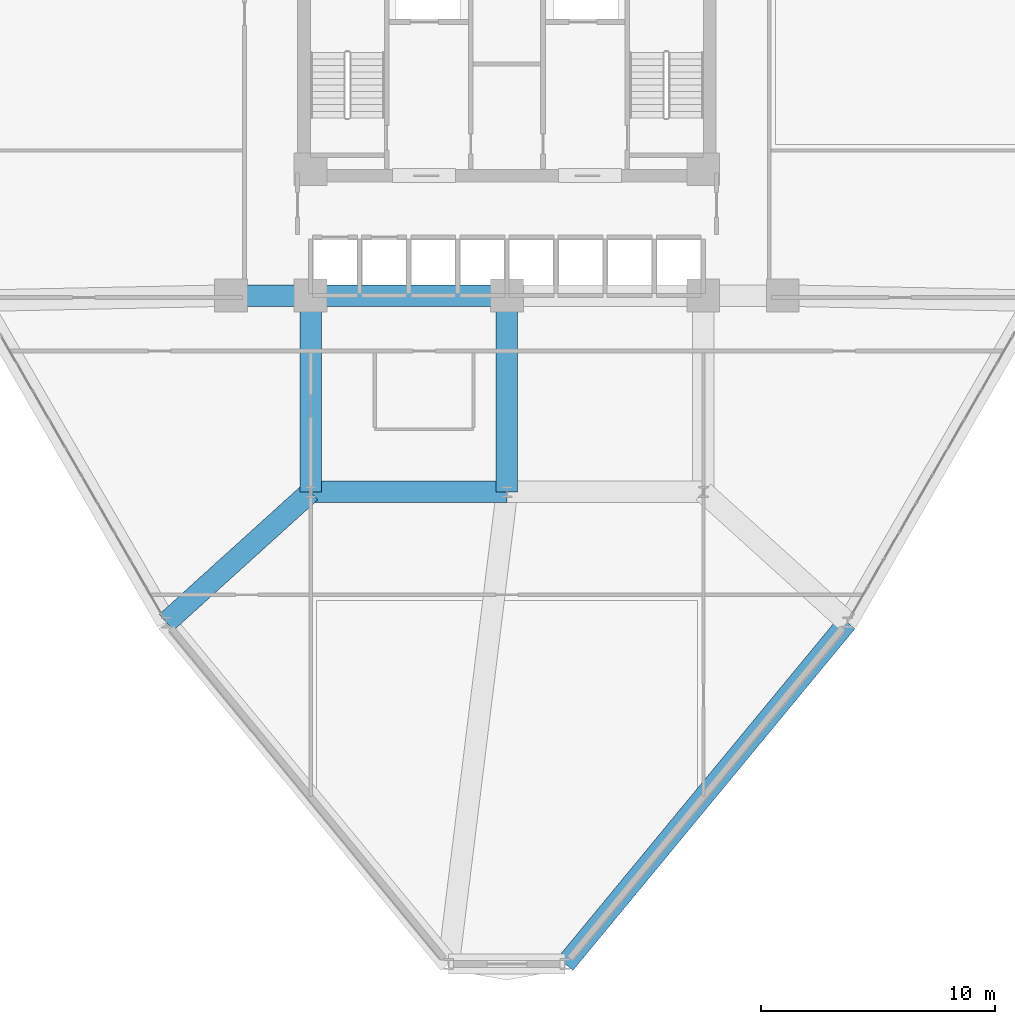
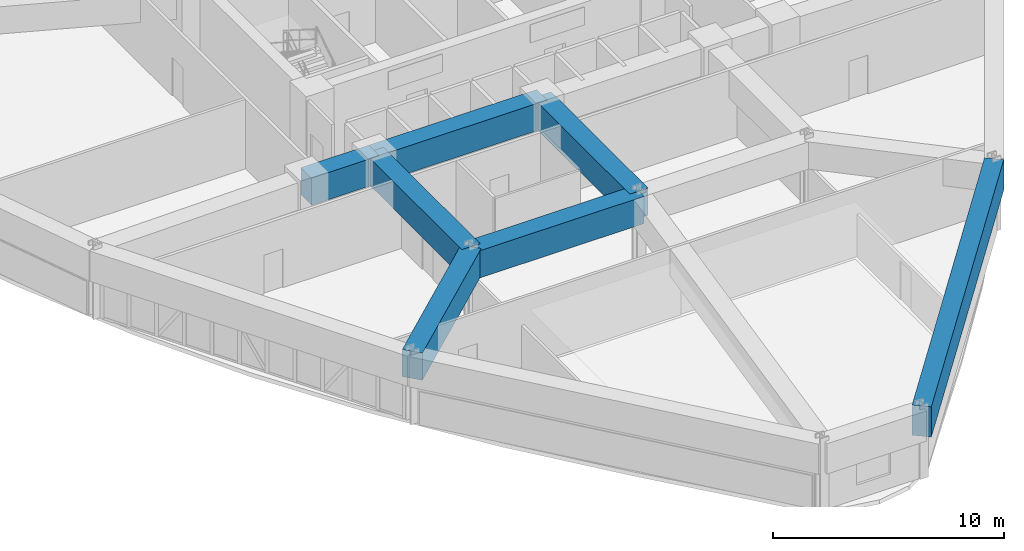
# One storey, part 5 of 20: 7 beams.
"""IFC4 building model written with IfcOpenShell, lengths in metres."""

from ifc_helpers import new_model, si_unit, derived_unit, direction, frame, origin, origin_2d, place, context, subcontext, project, spatial, rectangle, extrude, source, transform, mapped, material, material_profile, profile_set, type_object, element, save


model = new_model("IFC4")

# Units and contexts
model_context = context("Model", 3, precision=1e-05, world=origin(), true_north=direction((0.0, 1.0)))
body_context = subcontext(model_context, "Body", "Model", "MODEL_VIEW")
ifc_project = project(units=[si_unit("LENGTHUNIT", "METRE"), si_unit("AREAUNIT", "SQUARE_METRE"), si_unit("VOLUMEUNIT", "CUBIC_METRE"), si_unit("PLANEANGLEUNIT", "RADIAN"), si_unit("MASSUNIT", "GRAM", prefix="KILO"), derived_unit("THERMALTRANSMITTANCEUNIT", [(si_unit("POWERUNIT", "WATT"), 1), (si_unit("LENGTHUNIT", "METRE"), -2), (si_unit("THERMODYNAMICTEMPERATUREUNIT", "KELVIN"), -1)])], contexts=[model_context])

# Site, building, storey
site_placement = place(None, origin())
site = spatial("IfcSite", under=ifc_project, at=site_placement, CompositionType="ELEMENT")
building_placement = place(site_placement, origin())
building = spatial("IfcBuilding", under=site, at=building_placement, Name="Korsvarv Bourse and Concert Hall", CompositionType="ELEMENT")
storey_placement = place(building_placement, frame((0.0, 0.0, 35.699951171875)))
storey = spatial("IfcBuildingStorey", under=building, at=storey_placement, Name="L08", CompositionType="ELEMENT", Elevation=35.699951171875)

# Beams
ifc_material_1 = material(Name="Concrete C50/60", Category="concrete")
ifc_material_profile_1 = material_profile(ifc_material_1, rectangle(XDim=0.919921875, YDim=1.43994140625, at=origin_2d()), Name="RC-BM 920x1440")
ifc_profile_set_1 = profile_set([ifc_material_profile_1], Name="Concrete C50/60")
beam_type_1 = type_object("IfcBeamType", Name="BM-TR-144", PredefinedType="BEAM", material=ifc_profile_set_1)
shared_shape_1 = source(origin(), body_context, "Body", "SweptSolid", [
    extrude(rectangle(XDim=0.919921875, YDim=1.43994140625, at=origin_2d()), origin(), (0.0, 0.0, 1.0), 3.400146484375),
])
beam_1_placement = place(storey_placement, frame((24.199951171875, 32.39990234375, 2.9599609375), z_axis=(1.0, 0.0, 0.0), x_axis=(0.0, 1.0, 0.0)))
element("IfcBeam", 1, at=beam_1_placement, inside=storey, type_object=beam_type_1, Name="L08 beam B-TR4", PredefinedType="BEAM", context=body_context, shape_type="MappedRepresentation", body=[
    mapped(shared_shape_1, transform((0.0, 0.0, 0.0), scale=1.0)),
])
shared_shape_2 = source(origin(), body_context, "Body", "SweptSolid", [
    extrude(rectangle(XDim=0.919921875, YDim=1.43994140625, at=origin_2d()), origin(), (0.0, 0.0, 1.0), 8.39990234375),
])
for number, where, z_axis, x_axis, name in (
    (2, (27.60009765625, 32.39990234375, 2.9599609375), (1.0, 0.0, 0.0), (0.0, 1.0, 0.0), "L08 beam B-TR4"),
    (3, (27.60009765625, 24.0, 2.9599609375), (1.0, 0.0, 0.0), (0.0, 1.0, 0.0), "L08 beam B-TR4"),
    (4, (27.60009765625, 24.0, 2.9599609375), (0.0, 1.0, 0.0), (-1.0, 0.0, 0.0), "L08 beam B-TR4"),
    (5, (36.0, 24.0, 2.9599609375), (0.0, 1.0, 0.0), (-1.0, 0.0, 0.0), "L08 beam B-TR4"),
):
    element("IfcBeam", number, at=place(storey_placement, frame(where, z_axis=z_axis, x_axis=x_axis)), inside=storey, type_object=beam_type_1, Name=name, PredefinedType="BEAM", context=body_context, shape_type="MappedRepresentation", body=[
        mapped(shared_shape_2, transform((0.0, 0.0, 0.0), scale=1.0)),
    ])
ifc_material_2 = material(Name="Concrete C55/67", Category="concrete")
ifc_material_profile_2 = material_profile(ifc_material_2, rectangle(XDim=0.85009765625, YDim=1.60009765625, at=origin_2d()), Name="RC-BM 850x1600")
ifc_profile_set_2 = profile_set([ifc_material_profile_2], Name="Concrete C55/67")
beam_type_2 = type_object("IfcBeamType", Name="BM-TR1B", PredefinedType="BEAM", material=ifc_profile_set_2)
shared_shape_3 = source(origin(), body_context, "Body", "SweptSolid", [
    extrude(rectangle(XDim=0.85009765625, YDim=1.60009765625, at=origin_2d()), origin(), (0.0, 0.0, 1.0), 18.95849609375),
])
beam_2_placement = place(storey_placement, frame((38.492919921875, 3.802978515625, 2.880126953125), z_axis=(0.636697061267, 0.771114033184, 0.0), x_axis=(-0.771114033184, 0.636697061267, 0.0)))
element("IfcBeam", 6, at=beam_2_placement, inside=storey, type_object=beam_type_2, Name="L08 beam B-TR2", PredefinedType="BEAM", context=body_context, shape_type="MappedRepresentation", body=[
    mapped(shared_shape_3, transform((0.0, 0.0, 0.0), scale=1.0)),
])
shared_shape_4 = source(origin(), body_context, "Body", "SweptSolid", [
    extrude(rectangle(XDim=0.919921875, YDim=1.43994140625, at=origin_2d()), origin(), (0.0, 0.0, 1.0), 8.31298828125),
])
beam_3_placement = place(storey_placement, frame((21.436279296875, 18.422119140625, 2.9599609375), z_axis=(0.741470373588, 0.670985607216, 0.0), x_axis=(-0.670985607216, 0.741470373588, 0.0)))
element("IfcBeam", 7, at=beam_3_placement, inside=storey, type_object=beam_type_1, Name="L08 beam B-TR4", PredefinedType="BEAM", context=body_context, shape_type="MappedRepresentation", body=[
    mapped(shared_shape_4, transform((0.0, 0.0, 0.0), scale=1.0)),
])

save(model, "model.ifc")
